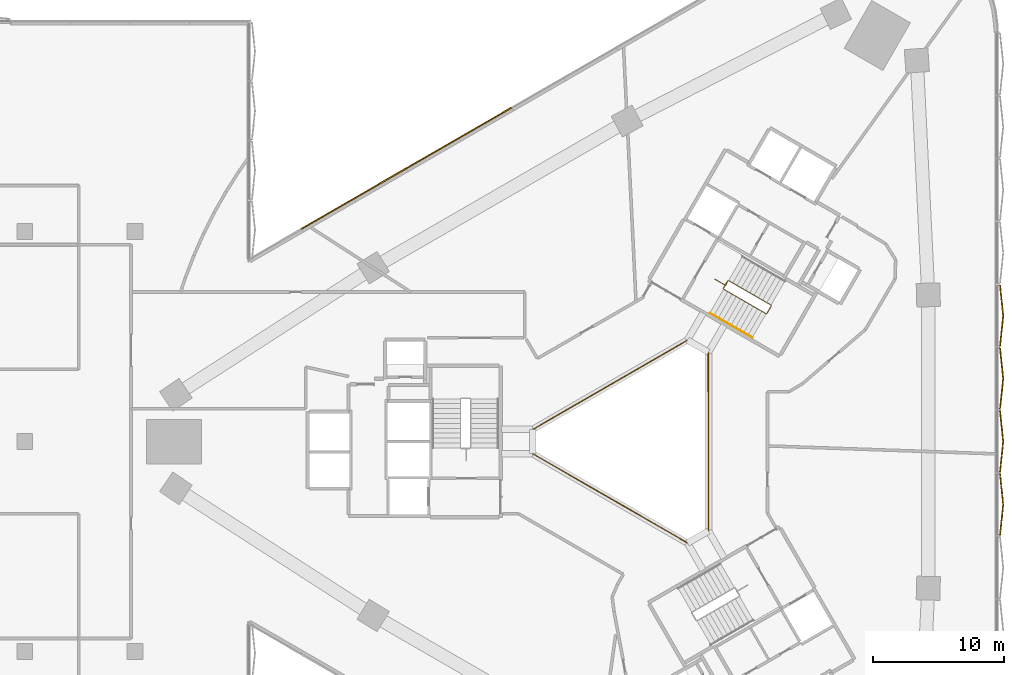
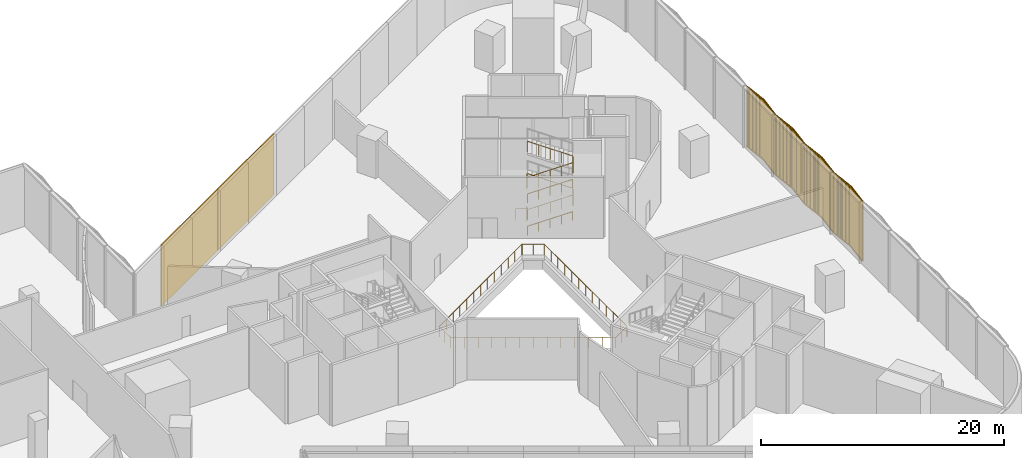
# One storey, part 28 of 32: 6 coverings, 4 railings.
"""IFC4 building model written with IfcOpenShell, lengths in metres."""

from ifc_helpers import new_model, si_unit, direction, frame, frame_2d, origin, origin_2d, place, context, subcontext, project, spatial, rectangle, circle, extrude, source, transform, mapped, material, layer, layer_set, type_object, element, save


model = new_model("IFC4")

# Units and contexts
model_context = context("Model", 3, precision=1e-05, world=origin(), true_north=direction((0.0, 1.0)))
body_context = subcontext(model_context, "Body", "Model", "MODEL_VIEW")
ifc_project = project(units=[si_unit("LENGTHUNIT", "METRE"), si_unit("AREAUNIT", "SQUARE_METRE"), si_unit("VOLUMEUNIT", "CUBIC_METRE"), si_unit("PLANEANGLEUNIT", "RADIAN"), si_unit("MASSUNIT", "GRAM", prefix="KILO")], contexts=[model_context])

# Site, building, storey
site_placement = place(None, origin())
site = spatial("IfcSite", under=ifc_project, at=site_placement, CompositionType="ELEMENT")
building_placement = place(site_placement, origin())
building = spatial("IfcBuilding", under=site, at=building_placement, Name="Tamra Quay Hotel Tower", CompositionType="ELEMENT")
storey_placement = place(building_placement, frame((0.0, 0.0, 7.5)))
storey = spatial("IfcBuildingStorey", under=building, at=storey_placement, Name="L01", CompositionType="ELEMENT", Elevation=7.5)

# Railing
ifc_material_1 = material(Name="Guard atrium edge 1100")
railing_type_1 = type_object("IfcRailingType", Name="Guard atrium edge 1100", PredefinedType="GUARDRAIL", material=ifc_material_1)
railing_1_placement = place(storey_placement, frame((3.409912109375, 7.73095703125, 0.0)))
element("IfcRailing", 1, at=railing_1_placement, inside=storey, type_object=railing_type_1, Name="G-A", PredefinedType="GUARDRAIL", context=body_context, shape_type="SweptSolid", body=[
    extrude(circle(Radius=0.02392578125, at=origin_2d()), frame((0.0, 0.0, 1.076171875), z_axis=(0.864522091971, -0.502594819406, 0.0), x_axis=(0.502594819406, 0.864522091971, 0.0)), (0.0, 0.0, 1.0), 1.820556640625),
    extrude(circle(Radius=0.02392578125, at=origin_2d()), frame((1.573974609375, -0.9150390625, 1.076171875), z_axis=(0.000967828205, -0.999999531654, 0.0), x_axis=(0.999999531654, 0.000967828205, 0.0)), (0.0, 0.0, 1.0), 13.621826171875),
    extrude(circle(Radius=0.02392578125, at=origin_2d()), frame((1.587158203125, -14.536865234375, 1.076171875), z_axis=(-0.865052007415, -0.501682194688, 0.0), x_axis=(0.501682194688, -0.865052007415, 0.0)), (0.0, 0.0, 1.0), 1.832275390625),
    extrude(circle(Radius=0.02392578125, at=origin_2d()), frame((0.002197265625, -15.4560546875, 1.076171875), z_axis=(-0.866473474501, 0.499223114434, 0.0), x_axis=(-0.499223114434, -0.866473474501, 0.0)), (0.0, 0.0, 1.0), 13.617431640625),
    extrude(circle(Radius=0.02392578125, at=origin_2d()), frame((-11.796875, -8.657958984375, 1.076171875), z_axis=(-0.005428226658, 0.999985267069, 0.0), x_axis=(-0.999985267069, -0.005428226658, 0.0)), (0.0, 0.0, 1.0), 1.843994140625),
    extrude(circle(Radius=0.02392578125, at=origin_2d()), frame((-11.806884765625, -6.81396484375, 1.076171875), z_axis=(0.86589546234, 0.500224997676, 0.0), x_axis=(-0.500224997676, 0.86589546234, 0.0)), (0.0, 0.0, 1.0), 13.610107421875),
    extrude(circle(Radius=0.02392578125, at=origin_2d()), frame((-0.02197265625, -0.005859375, 1.076171875), z_axis=(0.966234939601, 0.25766265056, 0.0), x_axis=(-0.25766265056, 0.966234939601, 0.0)), (0.0, 0.0, 1.0), 0.022705078125),
    extrude(circle(Radius=0.02099609375, at=origin_2d()), origin(), (0.0, 0.0, 1.0), 1.052001953125),
    extrude(circle(Radius=0.02099609375, at=origin_2d()), frame((0.787109375, -0.45751953125, 0.0)), (0.0, 0.0, 1.0), 1.052001953125),
    extrude(circle(Radius=0.02099609375, at=origin_2d()), frame((1.573974609375, -0.9150390625, 0.0)), (0.0, 0.0, 1.0), 1.052001953125),
    extrude(circle(Radius=0.02099609375, at=origin_2d()), frame((1.5751953125, -2.05029296875, 0.0)), (0.0, 0.0, 1.0), 1.052001953125),
    extrude(circle(Radius=0.02099609375, at=origin_2d()), frame((1.576171875, -3.185302734375, 0.0)), (0.0, 0.0, 1.0), 1.052001953125),
    extrude(circle(Radius=0.02099609375, at=origin_2d()), frame((1.5771484375, -4.320556640625, 0.0)), (0.0, 0.0, 1.0), 1.052001953125),
    extrude(circle(Radius=0.02099609375, at=origin_2d()), frame((1.578369140625, -5.45556640625, 0.0)), (0.0, 0.0, 1.0), 1.052001953125),
    extrude(circle(Radius=0.02099609375, at=origin_2d()), frame((1.57958984375, -6.5908203125, 0.0)), (0.0, 0.0, 1.0), 1.052001953125),
    extrude(circle(Radius=0.02099609375, at=origin_2d()), frame((1.58056640625, -7.72607421875, 0.0)), (0.0, 0.0, 1.0), 1.052001953125),
    extrude(circle(Radius=0.02099609375, at=origin_2d()), frame((1.58154296875, -8.861083984375, 0.0)), (0.0, 0.0, 1.0), 1.052001953125),
    extrude(circle(Radius=0.02099609375, at=origin_2d()), frame((1.582763671875, -9.996337890625, 0.0)), (0.0, 0.0, 1.0), 1.052001953125),
    extrude(circle(Radius=0.02099609375, at=origin_2d()), frame((1.583984375, -11.13134765625, 0.0)), (0.0, 0.0, 1.0), 1.052001953125),
    extrude(circle(Radius=0.02099609375, at=origin_2d()), frame((1.5849609375, -12.2666015625, 0.0)), (0.0, 0.0, 1.0), 1.052001953125),
    extrude(circle(Radius=0.02099609375, at=origin_2d()), frame((1.5859375, -13.401611328125, 0.0)), (0.0, 0.0, 1.0), 1.052001953125),
    extrude(circle(Radius=0.02099609375, at=origin_2d()), frame((1.587158203125, -14.536865234375, 0.0)), (0.0, 0.0, 1.0), 1.052001953125),
    extrude(circle(Radius=0.02099609375, at=origin_2d()), frame((0.794677734375, -14.99658203125, 0.0)), (0.0, 0.0, 1.0), 1.052001953125),
    extrude(circle(Radius=0.02099609375, at=origin_2d()), frame((0.002197265625, -15.4560546875, 0.0)), (0.0, 0.0, 1.0), 1.052001953125),
    extrude(circle(Radius=0.02099609375, at=origin_2d()), frame((-0.98095703125, -14.8896484375, 0.0)), (0.0, 0.0, 1.0), 1.052001953125),
    extrude(circle(Radius=0.02099609375, at=origin_2d()), frame((-1.96435546875, -14.322998046875, 0.0)), (0.0, 0.0, 1.0), 1.052001953125),
    extrude(circle(Radius=0.02099609375, at=origin_2d()), frame((-2.947509765625, -13.756591796875, 0.0)), (0.0, 0.0, 1.0), 1.052001953125),
    extrude(circle(Radius=0.02099609375, at=origin_2d()), frame((-3.930908203125, -13.18994140625, 0.0)), (0.0, 0.0, 1.0), 1.052001953125),
    extrude(circle(Radius=0.02099609375, at=origin_2d()), frame((-4.9140625, -12.62353515625, 0.0)), (0.0, 0.0, 1.0), 1.052001953125),
    extrude(circle(Radius=0.02099609375, at=origin_2d()), frame((-5.8974609375, -12.05712890625, 0.0)), (0.0, 0.0, 1.0), 1.052001953125),
    extrude(circle(Radius=0.02099609375, at=origin_2d()), frame((-6.880615234375, -11.490478515625, 0.0)), (0.0, 0.0, 1.0), 1.052001953125),
    extrude(circle(Radius=0.02099609375, at=origin_2d()), frame((-7.86376953125, -10.924072265625, 0.0)), (0.0, 0.0, 1.0), 1.052001953125),
    extrude(circle(Radius=0.02099609375, at=origin_2d()), frame((-8.84716796875, -10.357421875, 0.0)), (0.0, 0.0, 1.0), 1.052001953125),
    extrude(circle(Radius=0.02099609375, at=origin_2d()), frame((-9.830322265625, -9.791015625, 0.0)), (0.0, 0.0, 1.0), 1.052001953125),
    extrude(circle(Radius=0.02099609375, at=origin_2d()), frame((-10.813720703125, -9.224365234375, 0.0)), (0.0, 0.0, 1.0), 1.052001953125),
    extrude(circle(Radius=0.02099609375, at=origin_2d()), frame((-11.796875, -8.657958984375, 0.0)), (0.0, 0.0, 1.0), 1.052001953125),
    extrude(circle(Radius=0.02099609375, at=origin_2d()), frame((-11.8017578125, -7.73583984375, 0.0)), (0.0, 0.0, 1.0), 1.052001953125),
    extrude(circle(Radius=0.02099609375, at=origin_2d()), frame((-11.806884765625, -6.81396484375, 0.0)), (0.0, 0.0, 1.0), 1.052001953125),
    extrude(circle(Radius=0.02099609375, at=origin_2d()), frame((-10.82470703125, -6.24658203125, 0.0)), (0.0, 0.0, 1.0), 1.052001953125),
    extrude(circle(Radius=0.02099609375, at=origin_2d()), frame((-9.8427734375, -5.67919921875, 0.0)), (0.0, 0.0, 1.0), 1.052001953125),
    extrude(circle(Radius=0.02099609375, at=origin_2d()), frame((-8.860595703125, -5.11181640625, 0.0)), (0.0, 0.0, 1.0), 1.052001953125),
    extrude(circle(Radius=0.02099609375, at=origin_2d()), frame((-7.878662109375, -4.544677734375, 0.0)), (0.0, 0.0, 1.0), 1.052001953125),
    extrude(circle(Radius=0.02099609375, at=origin_2d()), frame((-6.896484375, -3.977294921875, 0.0)), (0.0, 0.0, 1.0), 1.052001953125),
    extrude(circle(Radius=0.02099609375, at=origin_2d()), frame((-5.91455078125, -3.409912109375, 0.0)), (0.0, 0.0, 1.0), 1.052001953125),
    extrude(circle(Radius=0.02099609375, at=origin_2d()), frame((-4.932373046875, -2.842529296875, 0.0)), (0.0, 0.0, 1.0), 1.052001953125),
    extrude(circle(Radius=0.02099609375, at=origin_2d()), frame((-3.9501953125, -2.275146484375, 0.0)), (0.0, 0.0, 1.0), 1.052001953125),
    extrude(circle(Radius=0.02099609375, at=origin_2d()), frame((-2.96826171875, -1.7080078125, 0.0)), (0.0, 0.0, 1.0), 1.052001953125),
    extrude(circle(Radius=0.02099609375, at=origin_2d()), frame((-1.986083984375, -1.140625, 0.0)), (0.0, 0.0, 1.0), 1.052001953125),
    extrude(circle(Radius=0.02099609375, at=origin_2d()), frame((-1.004150390625, -0.5732421875, 0.0)), (0.0, 0.0, 1.0), 1.052001953125),
    extrude(circle(Radius=0.02099609375, at=origin_2d()), frame((-0.02197265625, -0.005859375, 0.0)), (0.0, 0.0, 1.0), 1.052001953125),
])

# Coverings
ifc_material_2 = material(Name="Precast concrete M60 terracotta-coloured pierced relief", Category="masonry")
ifc_layer = layer(ifc_material_2, 0.10009765625)
ifc_layer_set = layer_set([ifc_layer], Name="PIERCED RELIEF PANEL 100")
covering_type_1 = type_object("IfcCoveringType", Name="PIERCED RELIEF PANEL 100", PredefinedType="CLADDING", material=ifc_layer_set)
for number, where, z_axis, x_axis, name in (
    (2, (-14.017822265625, 23.13330078125, 0.0), (0.0, 0.0, 1.0), (-0.866214936261, -0.499671576337, 0.0), "Relief panel L01.NW.06"),
    (3, (-22.021484375, 18.5166015625, 0.0), (0.0, 0.0, 1.0), (-0.866214936261, -0.499671576337, 0.0), "Relief panel L01.NW.08"),
):
    element("IfcCovering", number, at=place(storey_placement, frame(where, z_axis=z_axis, x_axis=x_axis)), inside=storey, type_object=covering_type_1, Name=name, PredefinedType="CLADDING", context=body_context, shape_type="SweptSolid", body=[
        extrude(rectangle(XDim=9.2197265625, YDim=0.10009765625, at=origin_2d()), origin(), (0.0, 0.0, 1.0), 6.14990234375),
    ])

# Railings
ifc_material_3 = material(Name="Stair guard 1100")
railing_type_2 = type_object("IfcRailingType", Name="Stair guard 1100", PredefinedType="GUARDRAIL", material=ifc_material_3)
railing_2_placement = place(storey_placement, frame((5.46630859375, 12.38818359375, 0.0)))
element("IfcRailing", 4, at=railing_2_placement, inside=storey, type_object=railing_type_2, Name="GR", PredefinedType="GUARDRAIL", context=body_context, shape_type="SweptSolid", body=[
    extrude(circle(Radius=0.02392578125, at=origin_2d()), frame((0.0, 0.0, 1.076171875), z_axis=(0.866071776036, -0.499919672301, 0.0), x_axis=(0.499919672301, 0.866071776036, 0.0)), (0.0, 0.0, 1.0), 1.000244140625),
    extrude(circle(Radius=0.02392578125, at=origin_2d()), frame((0.8662109375, -0.5, 1.076171875), z_axis=(0.33457292443, 0.94236986276, 0.0), x_axis=(-0.94236986276, 0.33457292443, 0.0)), (0.0, 0.0, 1.0), 0.385986328125),
    extrude(circle(Radius=0.02392578125, at=origin_2d()), frame((0.995361328125, -0.13623046875, 1.076171875), z_axis=(-0.500043078269, -0.866000531106, 0.0), x_axis=(0.866000531106, -0.500043078269, 0.0)), (0.0, 0.0, 1.0), 0.6591796875),
    extrude(circle(Radius=0.02392578125, at=origin_2d()), frame((0.665771484375, -0.70703125, 1.076171875), z_axis=(0.1118666836, -0.416144062992, 0.902391247706), x_axis=(0.965715946433, 0.259601060869, 0.0)), (0.0, 0.0, 1.0), 0.16357421875),
    extrude(circle(Radius=0.02392578125, at=origin_2d()), frame((0.68408203125, -0.775146484375, 1.2236328125), z_axis=(0.805461968019, -0.465051531999, 0.367366425604), x_axis=(0.500014392251, 0.866017094255, 0.0)), (0.0, 0.0, 1.0), 4.021240234375),
    extrude(circle(Radius=0.02392578125, at=origin_2d()), frame((3.923095703125, -2.645263671875, 2.701171875), z_axis=(0.965715946433, 0.259601060869, 0.0), x_axis=(-0.259601060869, 0.965715946433, 0.0)), (0.0, 0.0, 1.0), 0.070556640625),
    extrude(circle(Radius=0.02392578125, at=origin_2d()), frame((3.9912109375, -2.626953125, 2.701171875), z_axis=(0.500043078269, 0.866000531106, 0.0), x_axis=(-0.866000531106, 0.500043078269, 0.0)), (0.0, 0.0, 1.0), 0.6591796875),
    extrude(circle(Radius=0.02392578125, at=origin_2d()), frame((4.32080078125, -2.05615234375, 2.701171875), z_axis=(-0.1118666836, 0.416144062992, 0.902391247706), x_axis=(-0.965715946433, -0.259601060869, 0.0)), (0.0, 0.0, 1.0), 0.16357421875),
    extrude(circle(Radius=0.02392578125, at=origin_2d()), frame((4.302490234375, -1.988037109375, 2.8486328125), z_axis=(-0.805461968019, 0.465051531999, 0.367366425604), x_axis=(-0.500014392251, -0.866017094255, 0.0)), (0.0, 0.0, 1.0), 4.021240234375),
    extrude(circle(Radius=0.02392578125, at=origin_2d()), frame((1.0634765625, -0.117919921875, 4.326171875), z_axis=(-0.965715946433, -0.259601060869, 0.0), x_axis=(0.259601060869, -0.965715946433, 0.0)), (0.0, 0.0, 1.0), 0.070556640625),
    extrude(circle(Radius=0.02392578125, at=origin_2d()), frame((0.995361328125, -0.13623046875, 4.326171875), z_axis=(-0.500043078269, -0.866000531106, 0.0), x_axis=(0.866000531106, -0.500043078269, 0.0)), (0.0, 0.0, 1.0), 0.6591796875),
    extrude(circle(Radius=0.02392578125, at=origin_2d()), frame((0.665771484375, -0.70703125, 4.326171875), z_axis=(0.1118666836, -0.416144062992, 0.902391247706), x_axis=(0.965715946433, 0.259601060869, 0.0)), (0.0, 0.0, 1.0), 0.16357421875),
    extrude(circle(Radius=0.02392578125, at=origin_2d()), frame((0.68408203125, -0.775146484375, 4.4736328125), z_axis=(0.805461968019, -0.465051531999, 0.367366425604), x_axis=(0.500014392251, 0.866017094255, 0.0)), (0.0, 0.0, 1.0), 4.021240234375),
    extrude(circle(Radius=0.02392578125, at=origin_2d()), frame((3.923095703125, -2.645263671875, 5.951171875), z_axis=(0.965715946433, 0.259601060869, 0.0), x_axis=(-0.259601060869, 0.965715946433, 0.0)), (0.0, 0.0, 1.0), 0.070556640625),
    extrude(circle(Radius=0.02392578125, at=origin_2d()), frame((3.9912109375, -2.626953125, 5.951171875), z_axis=(0.500043078269, 0.866000531106, 0.0), x_axis=(-0.866000531106, 0.500043078269, 0.0)), (0.0, 0.0, 1.0), 0.6591796875),
    extrude(circle(Radius=0.02392578125, at=origin_2d()), frame((4.32080078125, -2.05615234375, 5.951171875), z_axis=(-0.1118666836, 0.416144062992, 0.902391247706), x_axis=(-0.965715946433, -0.259601060869, 0.0)), (0.0, 0.0, 1.0), 0.16357421875),
    extrude(circle(Radius=0.02392578125, at=origin_2d()), frame((4.302490234375, -1.988037109375, 6.0986328125), z_axis=(-0.805461968019, 0.465051531999, 0.367366425604), x_axis=(-0.500014392251, -0.866017094255, 0.0)), (0.0, 0.0, 1.0), 4.021240234375),
    extrude(circle(Radius=0.02099609375, at=origin_2d()), origin(), (0.0, 0.0, 1.0), 1.052001953125),
    extrude(circle(Radius=0.02099609375, at=origin_2d()), frame((0.8662109375, -0.5, 0.0)), (0.0, 0.0, 1.0), 1.052001953125),
    extrude(circle(Radius=0.02099609375, at=origin_2d()), frame((0.995361328125, -0.13623046875, 0.0)), (0.0, 0.0, 1.0), 1.052001953125),
    extrude(circle(Radius=0.02099609375, at=origin_2d()), frame((0.665771484375, -0.70703125, 0.0)), (0.0, 0.0, 1.0), 1.052001953125),
    extrude(circle(Radius=0.02099609375, at=origin_2d()), frame((0.68408203125, -0.775146484375, 0.147705078125)), (0.0, 0.0, 1.0), 1.052001953125),
    extrude(circle(Radius=0.02099609375, at=origin_2d()), frame((1.493896484375, -1.24267578125, 0.51708984375)), (0.0, 0.0, 1.0), 1.052001953125),
    extrude(circle(Radius=0.02099609375, at=origin_2d()), frame((2.3037109375, -1.710205078125, 0.88623046875)), (0.0, 0.0, 1.0), 1.052001953125),
    extrude(circle(Radius=0.02099609375, at=origin_2d()), frame((3.11328125, -2.177734375, 1.255615234375)), (0.0, 0.0, 1.0), 1.052001953125),
    extrude(circle(Radius=0.02099609375, at=origin_2d()), frame((3.923095703125, -2.645263671875, 1.625)), (0.0, 0.0, 1.0), 1.052001953125),
    extrude(circle(Radius=0.02099609375, at=origin_2d()), frame((3.9912109375, -2.626953125, 1.625)), (0.0, 0.0, 1.0), 1.052001953125),
    extrude(circle(Radius=0.02099609375, at=origin_2d()), frame((4.32080078125, -2.05615234375, 1.625)), (0.0, 0.0, 1.0), 1.052001953125),
    extrude(circle(Radius=0.02099609375, at=origin_2d()), frame((4.302490234375, -1.988037109375, 1.772705078125)), (0.0, 0.0, 1.0), 1.052001953125),
    extrude(circle(Radius=0.02099609375, at=origin_2d()), frame((3.49267578125, -1.5205078125, 2.14208984375)), (0.0, 0.0, 1.0), 1.052001953125),
    extrude(circle(Radius=0.02099609375, at=origin_2d()), frame((2.68310546875, -1.052978515625, 2.51123046875)), (0.0, 0.0, 1.0), 1.052001953125),
    extrude(circle(Radius=0.02099609375, at=origin_2d()), frame((1.873291015625, -0.58544921875, 2.880615234375)), (0.0, 0.0, 1.0), 1.052001953125),
    extrude(circle(Radius=0.02099609375, at=origin_2d()), frame((1.0634765625, -0.117919921875, 3.25)), (0.0, 0.0, 1.0), 1.052001953125),
    extrude(circle(Radius=0.02099609375, at=origin_2d()), frame((0.995361328125, -0.13623046875, 3.25)), (0.0, 0.0, 1.0), 1.052001953125),
    extrude(circle(Radius=0.02099609375, at=origin_2d()), frame((0.665771484375, -0.70703125, 3.25)), (0.0, 0.0, 1.0), 1.052001953125),
    extrude(circle(Radius=0.02099609375, at=origin_2d()), frame((0.68408203125, -0.775146484375, 3.397705078125)), (0.0, 0.0, 1.0), 1.052001953125),
    extrude(circle(Radius=0.02099609375, at=origin_2d()), frame((1.493896484375, -1.24267578125, 3.76708984375)), (0.0, 0.0, 1.0), 1.052001953125),
    extrude(circle(Radius=0.02099609375, at=origin_2d()), frame((2.3037109375, -1.710205078125, 4.13623046875)), (0.0, 0.0, 1.0), 1.052001953125),
    extrude(circle(Radius=0.02099609375, at=origin_2d()), frame((3.11328125, -2.177734375, 4.505615234375)), (0.0, 0.0, 1.0), 1.052001953125),
    extrude(circle(Radius=0.02099609375, at=origin_2d()), frame((3.923095703125, -2.645263671875, 4.875)), (0.0, 0.0, 1.0), 1.052001953125),
    extrude(circle(Radius=0.02099609375, at=origin_2d()), frame((3.9912109375, -2.626953125, 4.875)), (0.0, 0.0, 1.0), 1.052001953125),
    extrude(circle(Radius=0.02099609375, at=origin_2d()), frame((4.32080078125, -2.05615234375, 4.875)), (0.0, 0.0, 1.0), 1.052001953125),
    extrude(circle(Radius=0.02099609375, at=origin_2d()), frame((4.302490234375, -1.988037109375, 5.022705078125)), (0.0, 0.0, 1.0), 1.052001953125),
    extrude(circle(Radius=0.02099609375, at=origin_2d()), frame((3.49267578125, -1.5205078125, 5.39208984375)), (0.0, 0.0, 1.0), 1.052001953125),
    extrude(circle(Radius=0.02099609375, at=origin_2d()), frame((2.68310546875, -1.052978515625, 5.76123046875)), (0.0, 0.0, 1.0), 1.052001953125),
    extrude(circle(Radius=0.02099609375, at=origin_2d()), frame((1.873291015625, -0.58544921875, 6.130615234375)), (0.0, 0.0, 1.0), 1.052001953125),
    extrude(circle(Radius=0.02099609375, at=origin_2d()), frame((1.0634765625, -0.117919921875, 6.5)), (0.0, 0.0, 1.0), 1.052001953125),
])
ifc_material_4 = material(Name="Stair handrail 900")
railing_type_3 = type_object("IfcRailingType", Name="Stair handrail 900", PredefinedType="HANDRAIL", material=ifc_material_4)
for number, where, name in (
    (5, (5.100341796875, 9.794189453125, 0.147705078125), "HR"),
    (6, (5.100341796875, 9.794189453125, 3.397705078125), "HR"),
):
    element("IfcRailing", number, at=place(storey_placement, frame(where)), inside=storey, type_object=railing_type_3, Name=name, PredefinedType="HANDRAIL", context=body_context, shape_type="SweptSolid", body=[
        extrude(circle(Radius=0.02392578125, at=origin_2d()), frame((0.0, 0.0, 0.8759765625), z_axis=(0.805484708962, -0.46500394859, 0.367376797613), x_axis=(0.499965433771, 0.866045359686, 0.0)), (0.0, 0.0, 1.0), 4.021240234375),
        extrude(circle(Radius=0.02099609375, at=origin_2d()), origin(), (0.0, 0.0, 1.0), 0.851806640625),
        extrude(circle(Radius=0.02099609375, at=origin_2d()), frame((0.809814453125, -0.467529296875, 0.369384765625)), (0.0, 0.0, 1.0), 0.851806640625),
        extrude(circle(Radius=0.02099609375, at=origin_2d()), frame((1.61962890625, -0.93505859375, 0.73876953125)), (0.0, 0.0, 1.0), 0.851806640625),
        extrude(circle(Radius=0.02099609375, at=origin_2d()), frame((2.42919921875, -1.40234375, 1.10791015625)), (0.0, 0.0, 1.0), 0.851806640625),
        extrude(circle(Radius=0.02099609375, at=origin_2d()), frame((3.239013671875, -1.869873046875, 1.477294921875)), (0.0, 0.0, 1.0), 0.851806640625),
    ])

# Coverings
ifc_material_5 = material(Name="Terracotta baguette extruded", Category="masonry")
covering_type_2 = type_object("IfcCoveringType", Name="BAGUETTE SCREEN PODIUM-SHALLOW H6150", PredefinedType="USERDEFINED", material=ifc_material_5)
shared_shape = source(origin(), body_context, "Body", "SweptSolid", [
    extrude(rectangle(XDim=2.365478515625, YDim=0.06005859375, at=frame_2d((1.1826171875, 0.030029296875))), frame((-2.35888671875, -0.0576171875, -0.1201171875), z_axis=(0.0, 0.0, 1.0), x_axis=(0.994521895368, -0.104528463268, 0.0)), (0.0, 0.0, 1.0), 0.1201171875),
    extrude(rectangle(XDim=2.365478515625, YDim=0.06005859375, at=frame_2d((1.1826171875, 0.030029296875))), frame((-2.35888671875, -0.0576171875, -6.14990234375), z_axis=(0.0, 0.0, 1.0), x_axis=(0.994521895368, -0.104528463268, 0.0)), (0.0, 0.0, 1.0), 0.1201171875),
    extrude(rectangle(XDim=0.094970703125, YDim=0.10009765625, at=frame_2d((0.04736328125, 0.050048828125))), frame((-2.35107421875, -0.133056640625, -6.090087890625)), (0.0, 0.0, 1.0), 6.030029296875),
    extrude(rectangle(XDim=0.094970703125, YDim=0.10009765625, at=frame_2d((0.04736328125, 0.050048828125))), frame((-2.2529296875, -0.1435546875, -6.090087890625)), (0.0, 0.0, 1.0), 6.030029296875),
    extrude(rectangle(XDim=0.094970703125, YDim=0.10009765625, at=frame_2d((0.04736328125, 0.050048828125))), frame((-2.155029296875, -0.15380859375, -6.090087890625)), (0.0, 0.0, 1.0), 6.030029296875),
    extrude(rectangle(XDim=0.094970703125, YDim=0.10009765625, at=frame_2d((0.04736328125, 0.050048828125))), frame((-2.056884765625, -0.1640625, -6.090087890625)), (0.0, 0.0, 1.0), 6.030029296875),
    extrude(rectangle(XDim=0.094970703125, YDim=0.10009765625, at=frame_2d((0.04736328125, 0.050048828125))), frame((-1.958984375, -0.17431640625, -6.090087890625)), (0.0, 0.0, 1.0), 6.030029296875),
    extrude(rectangle(XDim=0.094970703125, YDim=0.10009765625, at=frame_2d((0.04736328125, 0.050048828125))), frame((-1.86083984375, -0.1845703125, -6.090087890625)), (0.0, 0.0, 1.0), 6.030029296875),
    extrude(rectangle(XDim=0.094970703125, YDim=0.10009765625, at=frame_2d((0.04736328125, 0.050048828125))), frame((-1.762939453125, -0.195068359375, -6.090087890625)), (0.0, 0.0, 1.0), 6.030029296875),
    extrude(rectangle(XDim=0.094970703125, YDim=0.10009765625, at=frame_2d((0.04736328125, 0.050048828125))), frame((-1.664794921875, -0.205322265625, -6.090087890625)), (0.0, 0.0, 1.0), 6.030029296875),
    extrude(rectangle(XDim=0.094970703125, YDim=0.10009765625, at=frame_2d((0.04736328125, 0.050048828125))), frame((-1.56689453125, -0.215576171875, -6.090087890625)), (0.0, 0.0, 1.0), 6.030029296875),
    extrude(rectangle(XDim=0.094970703125, YDim=0.10009765625, at=frame_2d((0.04736328125, 0.050048828125))), frame((-1.46875, -0.225830078125, -6.090087890625)), (0.0, 0.0, 1.0), 6.030029296875),
    extrude(rectangle(XDim=0.094970703125, YDim=0.10009765625, at=frame_2d((0.04736328125, 0.050048828125))), frame((-1.370849609375, -0.236083984375, -6.090087890625)), (0.0, 0.0, 1.0), 6.030029296875),
    extrude(rectangle(XDim=0.094970703125, YDim=0.10009765625, at=frame_2d((0.04736328125, 0.050048828125))), frame((-1.272705078125, -0.24658203125, -6.090087890625)), (0.0, 0.0, 1.0), 6.030029296875),
    extrude(rectangle(XDim=0.094970703125, YDim=0.10009765625, at=frame_2d((0.04736328125, 0.050048828125))), frame((-1.1748046875, -0.2568359375, -6.090087890625)), (0.0, 0.0, 1.0), 6.030029296875),
    extrude(rectangle(XDim=0.094970703125, YDim=0.10009765625, at=frame_2d((0.04736328125, 0.050048828125))), frame((-1.07666015625, -0.26708984375, -6.090087890625)), (0.0, 0.0, 1.0), 6.030029296875),
    extrude(rectangle(XDim=0.094970703125, YDim=0.10009765625, at=frame_2d((0.04736328125, 0.050048828125))), frame((-0.978759765625, -0.27734375, -6.090087890625)), (0.0, 0.0, 1.0), 6.030029296875),
    extrude(rectangle(XDim=0.094970703125, YDim=0.10009765625, at=frame_2d((0.04736328125, 0.050048828125))), frame((-0.880615234375, -0.28759765625, -6.090087890625)), (0.0, 0.0, 1.0), 6.030029296875),
    extrude(rectangle(XDim=0.094970703125, YDim=0.10009765625, at=frame_2d((0.04736328125, 0.050048828125))), frame((-0.78271484375, -0.298095703125, -6.090087890625)), (0.0, 0.0, 1.0), 6.030029296875),
    extrude(rectangle(XDim=0.094970703125, YDim=0.10009765625, at=frame_2d((0.04736328125, 0.050048828125))), frame((-0.6845703125, -0.308349609375, -6.090087890625)), (0.0, 0.0, 1.0), 6.030029296875),
    extrude(rectangle(XDim=0.094970703125, YDim=0.10009765625, at=frame_2d((0.04736328125, 0.050048828125))), frame((-0.586669921875, -0.318603515625, -6.090087890625)), (0.0, 0.0, 1.0), 6.030029296875),
    extrude(rectangle(XDim=0.094970703125, YDim=0.10009765625, at=frame_2d((0.04736328125, 0.050048828125))), frame((-0.488525390625, -0.328857421875, -6.090087890625)), (0.0, 0.0, 1.0), 6.030029296875),
    extrude(rectangle(XDim=0.094970703125, YDim=0.10009765625, at=frame_2d((0.04736328125, 0.050048828125))), frame((-0.390625, -0.339111328125, -6.090087890625)), (0.0, 0.0, 1.0), 6.030029296875),
    extrude(rectangle(XDim=0.094970703125, YDim=0.10009765625, at=frame_2d((0.04736328125, 0.050048828125))), frame((-0.29248046875, -0.349609375, -6.090087890625)), (0.0, 0.0, 1.0), 6.030029296875),
    extrude(rectangle(XDim=0.094970703125, YDim=0.10009765625, at=frame_2d((0.04736328125, 0.050048828125))), frame((-0.194580078125, -0.35986328125, -6.090087890625)), (0.0, 0.0, 1.0), 6.030029296875),
    extrude(rectangle(XDim=0.094970703125, YDim=0.10009765625, at=frame_2d((0.04736328125, 0.050048828125))), frame((-0.096435546875, -0.3701171875, -6.090087890625)), (0.0, 0.0, 1.0), 6.030029296875),
    extrude(rectangle(XDim=2.365478515625, YDim=0.06005859375, at=frame_2d((1.1826171875, 0.030029296875))), frame((0.00634765625, -0.304931640625, -0.1201171875), z_axis=(0.0, 0.0, 1.0), x_axis=(0.994521895368, 0.104528463268, 0.0)), (0.0, 0.0, 1.0), 0.1201171875),
    extrude(rectangle(XDim=2.365478515625, YDim=0.06005859375, at=frame_2d((1.1826171875, 0.030029296875))), frame((0.00634765625, -0.304931640625, -6.14990234375), z_axis=(0.0, 0.0, 1.0), x_axis=(0.994521895368, 0.104528463268, 0.0)), (0.0, 0.0, 1.0), 0.1201171875),
    extrude(rectangle(XDim=0.094970703125, YDim=0.10009765625, at=frame_2d((0.04736328125, 0.050048828125))), frame((0.00146484375, -0.3701171875, -6.090087890625)), (0.0, 0.0, 1.0), 6.030029296875),
    extrude(rectangle(XDim=0.094970703125, YDim=0.10009765625, at=frame_2d((0.04736328125, 0.050048828125))), frame((0.099609375, -0.35986328125, -6.090087890625)), (0.0, 0.0, 1.0), 6.030029296875),
    extrude(rectangle(XDim=0.094970703125, YDim=0.10009765625, at=frame_2d((0.04736328125, 0.050048828125))), frame((0.197509765625, -0.349609375, -6.090087890625)), (0.0, 0.0, 1.0), 6.030029296875),
    extrude(rectangle(XDim=0.094970703125, YDim=0.10009765625, at=frame_2d((0.04736328125, 0.050048828125))), frame((0.295654296875, -0.339111328125, -6.090087890625)), (0.0, 0.0, 1.0), 6.030029296875),
    extrude(rectangle(XDim=0.094970703125, YDim=0.10009765625, at=frame_2d((0.04736328125, 0.050048828125))), frame((0.3935546875, -0.328857421875, -6.090087890625)), (0.0, 0.0, 1.0), 6.030029296875),
    extrude(rectangle(XDim=0.094970703125, YDim=0.10009765625, at=frame_2d((0.04736328125, 0.050048828125))), frame((0.49169921875, -0.318603515625, -6.090087890625)), (0.0, 0.0, 1.0), 6.030029296875),
    extrude(rectangle(XDim=0.094970703125, YDim=0.10009765625, at=frame_2d((0.04736328125, 0.050048828125))), frame((0.589599609375, -0.308349609375, -6.090087890625)), (0.0, 0.0, 1.0), 6.030029296875),
    extrude(rectangle(XDim=0.094970703125, YDim=0.10009765625, at=frame_2d((0.04736328125, 0.050048828125))), frame((0.687744140625, -0.298095703125, -6.090087890625)), (0.0, 0.0, 1.0), 6.030029296875),
    extrude(rectangle(XDim=0.094970703125, YDim=0.10009765625, at=frame_2d((0.04736328125, 0.050048828125))), frame((0.78564453125, -0.28759765625, -6.090087890625)), (0.0, 0.0, 1.0), 6.030029296875),
    extrude(rectangle(XDim=0.094970703125, YDim=0.10009765625, at=frame_2d((0.04736328125, 0.050048828125))), frame((0.8837890625, -0.27734375, -6.090087890625)), (0.0, 0.0, 1.0), 6.030029296875),
    extrude(rectangle(XDim=0.094970703125, YDim=0.10009765625, at=frame_2d((0.04736328125, 0.050048828125))), frame((0.981689453125, -0.26708984375, -6.090087890625)), (0.0, 0.0, 1.0), 6.030029296875),
    extrude(rectangle(XDim=0.094970703125, YDim=0.10009765625, at=frame_2d((0.04736328125, 0.050048828125))), frame((1.079833984375, -0.2568359375, -6.090087890625)), (0.0, 0.0, 1.0), 6.030029296875),
    extrude(rectangle(XDim=0.094970703125, YDim=0.10009765625, at=frame_2d((0.04736328125, 0.050048828125))), frame((1.177734375, -0.24658203125, -6.090087890625)), (0.0, 0.0, 1.0), 6.030029296875),
    extrude(rectangle(XDim=0.094970703125, YDim=0.10009765625, at=frame_2d((0.04736328125, 0.050048828125))), frame((1.27587890625, -0.236083984375, -6.090087890625)), (0.0, 0.0, 1.0), 6.030029296875),
    extrude(rectangle(XDim=0.094970703125, YDim=0.10009765625, at=frame_2d((0.04736328125, 0.050048828125))), frame((1.373779296875, -0.225830078125, -6.090087890625)), (0.0, 0.0, 1.0), 6.030029296875),
    extrude(rectangle(XDim=0.094970703125, YDim=0.10009765625, at=frame_2d((0.04736328125, 0.050048828125))), frame((1.471923828125, -0.215576171875, -6.090087890625)), (0.0, 0.0, 1.0), 6.030029296875),
    extrude(rectangle(XDim=0.094970703125, YDim=0.10009765625, at=frame_2d((0.04736328125, 0.050048828125))), frame((1.56982421875, -0.205322265625, -6.090087890625)), (0.0, 0.0, 1.0), 6.030029296875),
    extrude(rectangle(XDim=0.094970703125, YDim=0.10009765625, at=frame_2d((0.04736328125, 0.050048828125))), frame((1.66796875, -0.195068359375, -6.090087890625)), (0.0, 0.0, 1.0), 6.030029296875),
    extrude(rectangle(XDim=0.094970703125, YDim=0.10009765625, at=frame_2d((0.04736328125, 0.050048828125))), frame((1.765869140625, -0.1845703125, -6.090087890625)), (0.0, 0.0, 1.0), 6.030029296875),
    extrude(rectangle(XDim=0.094970703125, YDim=0.10009765625, at=frame_2d((0.04736328125, 0.050048828125))), frame((1.864013671875, -0.17431640625, -6.090087890625)), (0.0, 0.0, 1.0), 6.030029296875),
    extrude(rectangle(XDim=0.094970703125, YDim=0.10009765625, at=frame_2d((0.04736328125, 0.050048828125))), frame((1.9619140625, -0.1640625, -6.090087890625)), (0.0, 0.0, 1.0), 6.030029296875),
    extrude(rectangle(XDim=0.094970703125, YDim=0.10009765625, at=frame_2d((0.04736328125, 0.050048828125))), frame((2.06005859375, -0.15380859375, -6.090087890625)), (0.0, 0.0, 1.0), 6.030029296875),
    extrude(rectangle(XDim=0.094970703125, YDim=0.10009765625, at=frame_2d((0.04736328125, 0.050048828125))), frame((2.157958984375, -0.1435546875, -6.090087890625)), (0.0, 0.0, 1.0), 6.030029296875),
    extrude(rectangle(XDim=0.094970703125, YDim=0.10009765625, at=frame_2d((0.04736328125, 0.050048828125))), frame((2.256103515625, -0.133056640625, -6.090087890625)), (0.0, 0.0, 1.0), 6.030029296875),
])
for number, where, z_axis, x_axis, name in (
    (7, (27.14794921875, -4.79638671875, 6.14990234375), (0.0, 0.0, 1.0), (0.0, 1.0, 0.0), "Baguette screen L01.E.f09"),
    (8, (27.14794921875, 0.0, 6.14990234375), (0.0, 0.0, 1.0), (0.0, 1.0, 0.0), "Baguette screen L01.E.f10"),
    (9, (27.14794921875, 4.79638671875, 6.14990234375), (0.0, 0.0, 1.0), (0.0, 1.0, 0.0), "Baguette screen L01.E.f11"),
    (10, (27.14794921875, 9.593017578125, 6.14990234375), (0.0, 0.0, 1.0), (0.0, 1.0, 0.0), "Baguette screen L01.E.f12"),
):
    element("IfcCovering", number, at=place(storey_placement, frame(where, z_axis=z_axis, x_axis=x_axis)), inside=storey, type_object=covering_type_2, Name=name, ObjectType="BAGUETTE SCREEN", PredefinedType="USERDEFINED", context=body_context, shape_type="MappedRepresentation", body=[
        mapped(shared_shape, transform((0.0, 0.0, 0.0), scale=1.0)),
    ])

save(model, "model.ifc")
